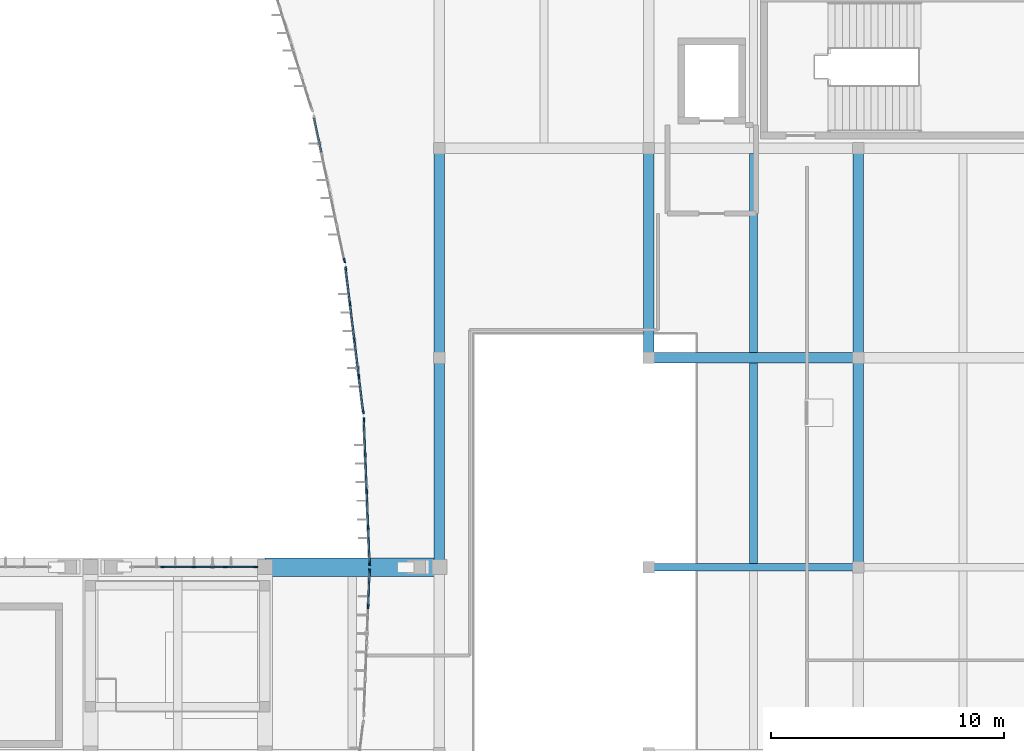
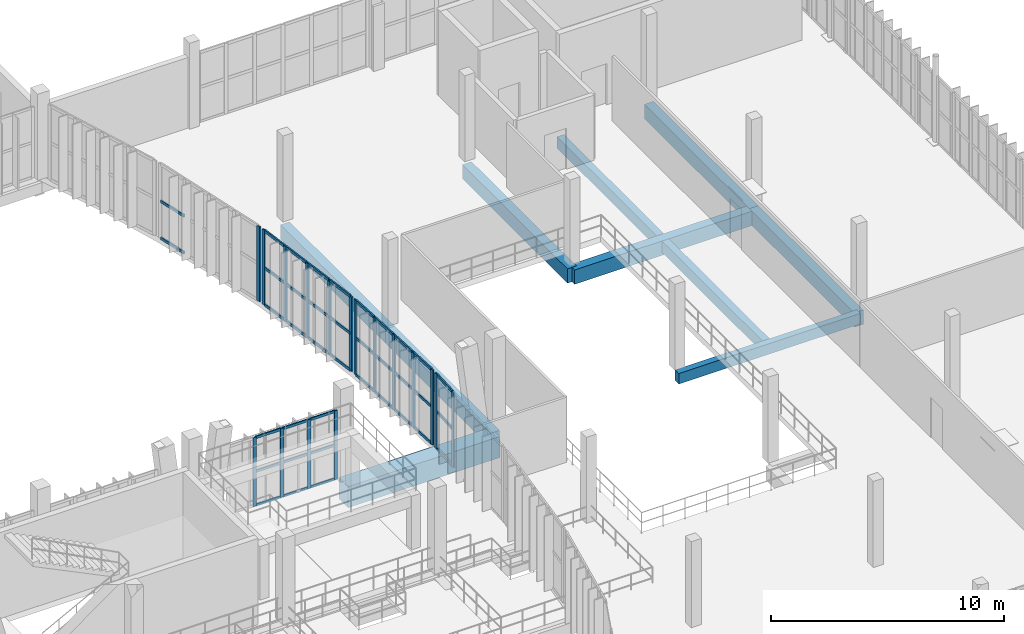
# One storey, part 33 of 81: 55 members, 10 beams, 5 elements without a shape of their own.
"""IFC4 building model written with IfcOpenShell, lengths in metres."""

from ifc_helpers import new_model, si_unit, direction, frame, origin, origin_2d, place, context, subcontext, project, spatial, rectangle, extrude, material, material_profile, profile_set, type_object, element, aggregate, save


model = new_model("IFC4")

# Units and contexts
model_context = context("Model", 3, precision=1e-05, world=origin(), true_north=direction((0.0, 1.0)))
body_context = subcontext(model_context, "Body", "Model", "MODEL_VIEW")
ifc_project = project(units=[si_unit("LENGTHUNIT", "METRE"), si_unit("AREAUNIT", "SQUARE_METRE"), si_unit("VOLUMEUNIT", "CUBIC_METRE"), si_unit("PLANEANGLEUNIT", "RADIAN"), si_unit("MASSUNIT", "GRAM", prefix="KILO")], contexts=[model_context])

# Site, building, storey
site_placement = place(None, origin())
site = spatial("IfcSite", under=ifc_project, at=site_placement, CompositionType="ELEMENT")
building_placement = place(site_placement, origin())
building = spatial("IfcBuilding", under=site, at=building_placement, Name="Vourika Railside Aquatics Centre", CompositionType="ELEMENT")
storey_placement = place(building_placement, frame((0.0, 0.0, 4.800048828125)))
storey = spatial("IfcBuildingStorey", under=building, at=storey_placement, Name="L01", CompositionType="ELEMENT", Elevation=4.800048828125)

# Beams
ifc_material_1 = material(Name="Concrete C35/45", Category="concrete")
ifc_material_profile_1 = material_profile(ifc_material_1, rectangle(XDim=0.449951171875, YDim=0.75, at=origin_2d()), Name="RC 450x750")
ifc_profile_set_1 = profile_set([ifc_material_profile_1], Name="Concrete C35/45")
beam_type_1 = type_object("IfcBeamType", Name="BM-GIRD-450x750", PredefinedType="BEAM", material=ifc_profile_set_1)
for number, where, z_axis, x_axis, name in (
    (1, (150.0, 75.0, -0.675048828125), (1.0, 0.0, 0.0), (0.0, 1.0, 0.0), "Floor Beam GX-L01-098"),
    (2, (141.0, 66.0, -0.675048828125), (0.0, 1.0, 0.0), (-1.0, 0.0, 0.0), "Floor Girder GY-L01-275"),
    (3, (141.0, 75.0, -0.675048828125), (0.0, 1.0, 0.0), (-1.0, 0.0, 0.0), "Floor Girder GY-L01-276"),
    (4, (150.0, 75.0, -0.675048828125), (0.0, 1.0, 0.0), (-1.0, 0.0, 0.0), "Floor Girder GY-L01-285"),
    (5, (159.0, 66.0, -0.675048828125), (0.0, 1.0, 0.0), (-1.0, 0.0, 0.0), "Floor Girder GY-L01-290"),
    (6, (159.0, 75.0, -0.675048828125), (0.0, 1.0, 0.0), (-1.0, 0.0, 0.0), "Floor Girder GY-L01-291"),
):
    element("IfcBeam", number, at=place(storey_placement, frame(where, z_axis=z_axis, x_axis=x_axis)), inside=storey, type_object=beam_type_1, Name=name, PredefinedType="BEAM", context=body_context, shape_type="SweptSolid", body=[
        extrude(rectangle(XDim=0.449951171875, YDim=0.75, at=origin_2d()), origin(), (0.0, 0.0, 1.0), 9.0),
    ])
ifc_material_2 = material(Name="Concrete C40/50", Category="concrete")
ifc_material_profile_2 = material_profile(ifc_material_2, rectangle(XDim=0.800048828125, YDim=1.10009765625, at=origin_2d()), Name="RC 800x1100")
ifc_profile_set_2 = profile_set([ifc_material_profile_2], Name="Concrete C40/50")
beam_type_2 = type_object("IfcBeamType", Name="BM-RING-800x1100", PredefinedType="BEAM", material=ifc_profile_set_2)
beam_1_placement = place(storey_placement, frame((133.5, 66.0, -0.85009765625), z_axis=(1.0, 0.0, 0.0), x_axis=(0.0, 1.0, 0.0)))
element("IfcBeam", 7, at=beam_1_placement, inside=storey, type_object=beam_type_2, Name="Floor Beam GX-L01-093", PredefinedType="BEAM", context=body_context, shape_type="SweptSolid", body=[
    extrude(rectangle(XDim=0.800048828125, YDim=1.10009765625, at=origin_2d()), origin(), (0.0, 0.0, 1.0), 7.5),
])
ifc_material_profile_3 = material_profile(ifc_material_1, rectangle(XDim=0.35009765625, YDim=0.60009765625, at=origin_2d()), Name="RC 350x600")
ifc_profile_set_3 = profile_set([ifc_material_profile_3], Name="Concrete C35/45")
beam_type_3 = type_object("IfcBeamType", Name="BM-SEC-350x600", PredefinedType="JOIST", material=ifc_profile_set_3)
beam_2_placement = place(storey_placement, frame((154.5, 66.159912109375, -0.60009765625), z_axis=(0.0, 1.0, 0.0), x_axis=(-1.0, 0.0, 0.0)))
element("IfcBeam", 8, at=beam_2_placement, inside=storey, type_object=beam_type_3, Name="Secondary Joist JY-L01-341", PredefinedType="JOIST", context=body_context, shape_type="SweptSolid", body=[
    extrude(rectangle(XDim=0.35009765625, YDim=0.60009765625, at=origin_2d()), origin(), (0.0, 0.0, 1.0), 8.614990234375),
])
beam_3_placement = place(storey_placement, frame((154.5, 75.22509765625, -0.60009765625), z_axis=(0.0, 1.0, 0.0), x_axis=(-1.0, 0.0, 0.0)))
element("IfcBeam", 9, at=beam_3_placement, inside=storey, type_object=beam_type_3, Name="Secondary Joist JY-L01-345", PredefinedType="JOIST", context=body_context, shape_type="SweptSolid", body=[
    extrude(rectangle(XDim=0.35009765625, YDim=0.60009765625, at=origin_2d()), origin(), (0.0, 0.0, 1.0), 8.5498046875),
])
ifc_material_profile_4 = material_profile(ifc_material_1, rectangle(XDim=0.320068359375, YDim=0.550048828125, at=origin_2d()), Name="RC 320x550")
ifc_profile_set_4 = profile_set([ifc_material_profile_4], Name="Concrete C35/45")
beam_type_4 = type_object("IfcBeamType", Name="BM-SPAN-320x550", PredefinedType="SPANDREL", material=ifc_profile_set_4)
beam_4_placement = place(storey_placement, frame((150.0, 66.0, -0.574951171875), z_axis=(1.0, 0.0, 0.0), x_axis=(0.0, 1.0, 0.0)))
element("IfcBeam", 10, at=beam_4_placement, inside=storey, type_object=beam_type_4, Name="Floor Beam GX-L01-094", PredefinedType="SPANDREL", context=body_context, shape_type="SweptSolid", body=[
    extrude(rectangle(XDim=0.320068359375, YDim=0.550048828125, at=origin_2d()), origin(), (0.0, 0.0, 1.0), 9.0),
])

# Curtain wall, members
ifc_material_3 = material(Name="Anodized thermally broken aluminium", Category="aluminium")
curtain_wall_type_1 = type_object("IfcCurtainWallType", Name="CW-CRT1", PredefinedType="NOTDEFINED", material=ifc_material_3)
curtain_wall_1_placement = place(storey_placement, origin())
curtain_wall_1 = element("IfcCurtainWall", 11, at=curtain_wall_1_placement, inside=storey, type_object=curtain_wall_type_1, Name="Spectator Concourse Courtyard Curtain Wall 13", PredefinedType="NOTDEFINED")
ifc_material_4 = material(Name="Anodized aluminium mullion", Category="aluminium")
ifc_material_profile_5 = material_profile(ifc_material_4, rectangle(XDim=0.06591796875, YDim=0.16796875, at=origin_2d()), Name="ALU-M 66x168")
ifc_profile_set_5 = profile_set([ifc_material_profile_5], Name="Anodized aluminium mullion")
member_type_1 = type_object("IfcMemberType", Name="CWM-CRT1", PredefinedType="MULLION", material=ifc_profile_set_5)
member_1_placement = place(storey_placement, frame((133.10693359375, 66.0, 0.0), z_axis=(0.0, 0.0, 1.0), x_axis=(0.0, -1.0, 0.0)))
member_1 = element("IfcMember", 12, at=member_1_placement, type_object=member_type_1, Name="CW13 mullion 1", PredefinedType="MULLION", context=body_context, shape_type="SweptSolid", body=[
    extrude(rectangle(XDim=0.06591796875, YDim=0.16796875, at=origin_2d()), origin(), (0.0, 0.0, 1.0), 3.599853515625),
])
member_2_placement = place(storey_placement, frame((131.79248046875, 66.0, 0.0), z_axis=(0.0, 0.0, 1.0), x_axis=(0.0, -1.0, 0.0)))
member_2 = element("IfcMember", 13, at=member_2_placement, type_object=member_type_1, Name="CW13 mullion 2", PredefinedType="MULLION", context=body_context, shape_type="SweptSolid", body=[
    extrude(rectangle(XDim=0.06591796875, YDim=0.16796875, at=origin_2d()), origin(), (0.0, 0.0, 1.0), 3.599853515625),
])
member_3_placement = place(storey_placement, frame((130.445068359375, 66.0, 0.0), z_axis=(0.0, 0.0, 1.0), x_axis=(0.0, -1.0, 0.0)))
member_3 = element("IfcMember", 14, at=member_3_placement, type_object=member_type_1, Name="CW13 mullion 3", PredefinedType="MULLION", context=body_context, shape_type="SweptSolid", body=[
    extrude(rectangle(XDim=0.06591796875, YDim=0.16796875, at=origin_2d()), origin(), (0.0, 0.0, 1.0), 3.599853515625),
])
member_4_placement = place(storey_placement, frame((129.097412109375, 66.0, 0.0), z_axis=(0.0, 0.0, 1.0), x_axis=(0.0, -1.0, 0.0)))
member_4 = element("IfcMember", 15, at=member_4_placement, type_object=member_type_1, Name="CW13 mullion 4", PredefinedType="MULLION", context=body_context, shape_type="SweptSolid", body=[
    extrude(rectangle(XDim=0.06591796875, YDim=0.16796875, at=origin_2d()), origin(), (0.0, 0.0, 1.0), 3.599853515625),
])

curtain_wall_type_2 = type_object("IfcCurtainWallType", Name="CW-FOYC1", PredefinedType="NOTDEFINED", material=ifc_material_3)
curtain_wall_2_placement = place(storey_placement, origin())
curtain_wall_2 = element("IfcCurtainWall", 16, at=curtain_wall_2_placement, inside=storey, type_object=curtain_wall_type_2, Name="Curved Courtyard Foyer Curtain Wall L01-4", PredefinedType="NOTDEFINED")
ifc_material_profile_6 = material_profile(ifc_material_4, rectangle(XDim=0.070068359375, YDim=0.18505859375, at=origin_2d()), Name="ALU-M 70x185")
ifc_profile_set_6 = profile_set([ifc_material_profile_6], Name="Anodized aluminium mullion")
member_type_2 = type_object("IfcMemberType", Name="CWM-FOYC1", PredefinedType="MULLION", material=ifc_profile_set_6)
member_5_placement = place(storey_placement, frame((137.99853515625, 65.824951171875, 0.0), z_axis=(0.0, 0.0, 1.0), x_axis=(0.999199675116, -0.040000115606, 0.0)))
member_5 = element("IfcMember", 17, at=member_5_placement, type_object=member_type_2, Name="CW08 mullion 1", PredefinedType="MULLION", context=body_context, shape_type="SweptSolid", body=[
    extrude(rectangle(XDim=0.070068359375, YDim=0.18505859375, at=origin_2d()), origin(), (0.0, 0.0, 1.0), 3.919921875),
])
member_6_placement = place(storey_placement, frame((137.937744140625, 64.304931640625, 0.0), z_axis=(0.0, 0.0, 1.0), x_axis=(0.999199675116, -0.040000115606, 0.0)))
member_6 = element("IfcMember", 18, at=member_6_placement, type_object=member_type_2, Name="CW08 mullion 2", PredefinedType="MULLION", context=body_context, shape_type="SweptSolid", body=[
    extrude(rectangle(XDim=0.070068359375, YDim=0.18505859375, at=origin_2d()), origin(), (0.0, 0.0, 1.0), 3.919921875),
])

curtain_wall_3_placement = place(storey_placement, origin())
curtain_wall_3 = element("IfcCurtainWall", 19, at=curtain_wall_3_placement, inside=storey, type_object=curtain_wall_type_2, Name="Curved Courtyard Foyer Curtain Wall L01-5", PredefinedType="NOTDEFINED")
member_7_placement = place(storey_placement, frame((137.75244140625, 72.324951171875, 0.0), z_axis=(0.0, 0.0, 1.0), x_axis=(0.999199675116, 0.040000115606, 0.0)))
member_7 = element("IfcMember", 20, at=member_7_placement, type_object=member_type_2, Name="CW08 mullion 1", PredefinedType="MULLION", context=body_context, shape_type="SweptSolid", body=[
    extrude(rectangle(XDim=0.070068359375, YDim=0.18505859375, at=origin_2d()), origin(), (0.0, 0.0, 1.0), 3.919921875),
])
member_8_placement = place(storey_placement, frame((137.813232421875, 70.804931640625, 0.0), z_axis=(0.0, 0.0, 1.0), x_axis=(0.999199675116, 0.040000115606, 0.0)))
member_8 = element("IfcMember", 21, at=member_8_placement, type_object=member_type_2, Name="CW08 mullion 2", PredefinedType="MULLION", context=body_context, shape_type="SweptSolid", body=[
    extrude(rectangle(XDim=0.070068359375, YDim=0.18505859375, at=origin_2d()), origin(), (0.0, 0.0, 1.0), 3.919921875),
])
member_9_placement = place(storey_placement, frame((137.87548828125, 69.25, 0.0), z_axis=(0.0, 0.0, 1.0), x_axis=(0.999199675116, 0.040000115606, 0.0)))
member_9 = element("IfcMember", 22, at=member_9_placement, type_object=member_type_2, Name="CW08 mullion 3", PredefinedType="MULLION", context=body_context, shape_type="SweptSolid", body=[
    extrude(rectangle(XDim=0.070068359375, YDim=0.18505859375, at=origin_2d()), origin(), (0.0, 0.0, 1.0), 3.919921875),
])
member_10_placement = place(storey_placement, frame((137.937744140625, 67.695068359375, 0.0), z_axis=(0.0, 0.0, 1.0), x_axis=(0.999199675116, 0.040000115606, 0.0)))
member_10 = element("IfcMember", 23, at=member_10_placement, type_object=member_type_2, Name="CW08 mullion 4", PredefinedType="MULLION", context=body_context, shape_type="SweptSolid", body=[
    extrude(rectangle(XDim=0.070068359375, YDim=0.18505859375, at=origin_2d()), origin(), (0.0, 0.0, 1.0), 3.919921875),
])
member_11_placement = place(storey_placement, frame((137.99853515625, 66.175048828125, 0.0), z_axis=(0.0, 0.0, 1.0), x_axis=(0.999199675116, 0.040000115606, 0.0)))
member_11 = element("IfcMember", 24, at=member_11_placement, type_object=member_type_2, Name="CW08 mullion 5", PredefinedType="MULLION", context=body_context, shape_type="SweptSolid", body=[
    extrude(rectangle(XDim=0.070068359375, YDim=0.18505859375, at=origin_2d()), origin(), (0.0, 0.0, 1.0), 3.919921875),
])

curtain_wall_4_placement = place(storey_placement, origin())
curtain_wall_4 = element("IfcCurtainWall", 25, at=curtain_wall_4_placement, inside=storey, type_object=curtain_wall_type_2, Name="Curved Courtyard Foyer Curtain Wall L01-6", PredefinedType="NOTDEFINED")
member_12_placement = place(storey_placement, frame((136.97216796875, 78.8251953125, 0.0), z_axis=(0.0, 0.0, 1.0), x_axis=(0.992598563525, 0.121441721361, 0.0)))
member_12 = element("IfcMember", 26, at=member_12_placement, type_object=member_type_2, Name="CW08 mullion 1", PredefinedType="MULLION", context=body_context, shape_type="SweptSolid", body=[
    extrude(rectangle(XDim=0.070068359375, YDim=0.18505859375, at=origin_2d()), origin(), (0.0, 0.0, 1.0), 3.919921875),
])
member_13_placement = place(storey_placement, frame((137.158203125, 77.304931640625, 0.0), z_axis=(0.0, 0.0, 1.0), x_axis=(0.992598563525, 0.121441721361, 0.0)))
member_13 = element("IfcMember", 27, at=member_13_placement, type_object=member_type_2, Name="CW08 mullion 2", PredefinedType="MULLION", context=body_context, shape_type="SweptSolid", body=[
    extrude(rectangle(XDim=0.070068359375, YDim=0.18505859375, at=origin_2d()), origin(), (0.0, 0.0, 1.0), 3.919921875),
])
member_14_placement = place(storey_placement, frame((137.348388671875, 75.75, 0.0), z_axis=(0.0, 0.0, 1.0), x_axis=(0.992598563525, 0.121441721361, 0.0)))
member_14 = element("IfcMember", 28, at=member_14_placement, type_object=member_type_2, Name="CW08 mullion 3", PredefinedType="MULLION", context=body_context, shape_type="SweptSolid", body=[
    extrude(rectangle(XDim=0.070068359375, YDim=0.18505859375, at=origin_2d()), origin(), (0.0, 0.0, 1.0), 3.919921875),
])
member_15_placement = place(storey_placement, frame((137.538818359375, 74.195068359375, 0.0), z_axis=(0.0, 0.0, 1.0), x_axis=(0.992598563525, 0.121441721361, 0.0)))
member_15 = element("IfcMember", 29, at=member_15_placement, type_object=member_type_2, Name="CW08 mullion 4", PredefinedType="MULLION", context=body_context, shape_type="SweptSolid", body=[
    extrude(rectangle(XDim=0.070068359375, YDim=0.18505859375, at=origin_2d()), origin(), (0.0, 0.0, 1.0), 3.919921875),
])
member_16_placement = place(storey_placement, frame((137.724853515625, 72.6748046875, 0.0), z_axis=(0.0, 0.0, 1.0), x_axis=(0.992598563525, 0.121441721361, 0.0)))
member_16 = element("IfcMember", 30, at=member_16_placement, type_object=member_type_2, Name="CW08 mullion 5", PredefinedType="MULLION", context=body_context, shape_type="SweptSolid", body=[
    extrude(rectangle(XDim=0.070068359375, YDim=0.18505859375, at=origin_2d()), origin(), (0.0, 0.0, 1.0), 3.919921875),
])

# Curtain wall, member
curtain_wall_5_placement = place(storey_placement, origin())
curtain_wall_5 = element("IfcCurtainWall", 31, at=curtain_wall_5_placement, inside=storey, type_object=curtain_wall_type_2, Name="Curved Courtyard Foyer Curtain Wall L01-7", PredefinedType="NOTDEFINED")
member_17_placement = place(storey_placement, frame((136.914794921875, 79.17431640625, 0.0), z_axis=(0.0, 0.0, 1.0), x_axis=(0.978214773139, 0.207595418094, 0.0)))
member_17 = element("IfcMember", 32, at=member_17_placement, type_object=member_type_2, Name="CW08 mullion 5", PredefinedType="MULLION", context=body_context, shape_type="SweptSolid", body=[
    extrude(rectangle(XDim=0.070068359375, YDim=0.18505859375, at=origin_2d()), origin(), (0.0, 0.0, 1.0), 3.919921875),
])

# Member
ifc_material_5 = material(Name="Anodized aluminium transom", Category="aluminium")
ifc_material_profile_7 = material_profile(ifc_material_5, rectangle(XDim=0.06591796875, YDim=0.132080078125, at=origin_2d()), Name="ALU-T 66x132")
ifc_profile_set_7 = profile_set([ifc_material_profile_7], Name="Anodized aluminium transom")
member_type_3 = type_object("IfcMemberType", Name="CWT-CRT1", PredefinedType="USERDEFINED", material=ifc_profile_set_7)
member_18_placement = place(storey_placement, frame((133.073974609375, 66.0, 0.032958984375), z_axis=(-1.0, 0.0, 0.0), x_axis=(0.0, -1.0, 0.0)))
member_18 = element("IfcMember", 33, at=member_18_placement, type_object=member_type_3, Name="CW13 transom 1.1", ObjectType="TRANSOM", PredefinedType="USERDEFINED", context=body_context, shape_type="SweptSolid", body=[
    extrude(rectangle(XDim=0.06591796875, YDim=0.132080078125, at=origin_2d()), origin(), (0.0, 0.0, 1.0), 1.24853515625),
])

member_19_placement = place(storey_placement, frame((133.073974609375, 66.0, 1.800048828125), z_axis=(-1.0, 0.0, 0.0), x_axis=(0.0, -1.0, 0.0)))
member_19 = element("IfcMember", 34, at=member_19_placement, type_object=member_type_3, Name="CW13 transom 1.2", ObjectType="TRANSOM", PredefinedType="USERDEFINED", context=body_context, shape_type="SweptSolid", body=[
    extrude(rectangle(XDim=0.06591796875, YDim=0.132080078125, at=origin_2d()), origin(), (0.0, 0.0, 1.0), 1.24853515625),
])

member_20_placement = place(storey_placement, frame((133.073974609375, 66.0, 3.56689453125), z_axis=(-1.0, 0.0, 0.0), x_axis=(0.0, -1.0, 0.0)))
member_20 = element("IfcMember", 35, at=member_20_placement, type_object=member_type_3, Name="CW13 transom 1.3", ObjectType="TRANSOM", PredefinedType="USERDEFINED", context=body_context, shape_type="SweptSolid", body=[
    extrude(rectangle(XDim=0.06591796875, YDim=0.132080078125, at=origin_2d()), origin(), (0.0, 0.0, 1.0), 1.24853515625),
])

member_21_placement = place(storey_placement, frame((131.759521484375, 66.0, 0.032958984375), z_axis=(-1.0, 0.0, 0.0), x_axis=(0.0, -1.0, 0.0)))
member_21 = element("IfcMember", 36, at=member_21_placement, type_object=member_type_3, Name="CW13 transom 2.1", ObjectType="TRANSOM", PredefinedType="USERDEFINED", context=body_context, shape_type="SweptSolid", body=[
    extrude(rectangle(XDim=0.06591796875, YDim=0.132080078125, at=origin_2d()), origin(), (0.0, 0.0, 1.0), 1.281494140625),
])

member_22_placement = place(storey_placement, frame((131.759521484375, 66.0, 1.800048828125), z_axis=(-1.0, 0.0, 0.0), x_axis=(0.0, -1.0, 0.0)))
member_22 = element("IfcMember", 37, at=member_22_placement, type_object=member_type_3, Name="CW13 transom 2.2", ObjectType="TRANSOM", PredefinedType="USERDEFINED", context=body_context, shape_type="SweptSolid", body=[
    extrude(rectangle(XDim=0.06591796875, YDim=0.132080078125, at=origin_2d()), origin(), (0.0, 0.0, 1.0), 1.281494140625),
])

member_23_placement = place(storey_placement, frame((131.759521484375, 66.0, 3.56689453125), z_axis=(-1.0, 0.0, 0.0), x_axis=(0.0, -1.0, 0.0)))
member_23 = element("IfcMember", 38, at=member_23_placement, type_object=member_type_3, Name="CW13 transom 2.3", ObjectType="TRANSOM", PredefinedType="USERDEFINED", context=body_context, shape_type="SweptSolid", body=[
    extrude(rectangle(XDim=0.06591796875, YDim=0.132080078125, at=origin_2d()), origin(), (0.0, 0.0, 1.0), 1.281494140625),
])

member_24_placement = place(storey_placement, frame((130.412109375, 66.0, 0.032958984375), z_axis=(-1.0, 0.0, 0.0), x_axis=(0.0, -1.0, 0.0)))
member_24 = element("IfcMember", 39, at=member_24_placement, type_object=member_type_3, Name="CW13 transom 3.1", ObjectType="TRANSOM", PredefinedType="USERDEFINED", context=body_context, shape_type="SweptSolid", body=[
    extrude(rectangle(XDim=0.06591796875, YDim=0.132080078125, at=origin_2d()), origin(), (0.0, 0.0, 1.0), 1.281494140625),
])

member_25_placement = place(storey_placement, frame((130.412109375, 66.0, 1.800048828125), z_axis=(-1.0, 0.0, 0.0), x_axis=(0.0, -1.0, 0.0)))
member_25 = element("IfcMember", 40, at=member_25_placement, type_object=member_type_3, Name="CW13 transom 3.2", ObjectType="TRANSOM", PredefinedType="USERDEFINED", context=body_context, shape_type="SweptSolid", body=[
    extrude(rectangle(XDim=0.06591796875, YDim=0.132080078125, at=origin_2d()), origin(), (0.0, 0.0, 1.0), 1.281494140625),
])

member_26_placement = place(storey_placement, frame((130.412109375, 66.0, 3.56689453125), z_axis=(-1.0, 0.0, 0.0), x_axis=(0.0, -1.0, 0.0)))
member_26 = element("IfcMember", 41, at=member_26_placement, type_object=member_type_3, Name="CW13 transom 3.3", ObjectType="TRANSOM", PredefinedType="USERDEFINED", context=body_context, shape_type="SweptSolid", body=[
    extrude(rectangle(XDim=0.06591796875, YDim=0.132080078125, at=origin_2d()), origin(), (0.0, 0.0, 1.0), 1.281494140625),
])

aggregate(curtain_wall_1, [member_1, member_2, member_3, member_4, member_18, member_19, member_20, member_21, member_22, member_23, member_24, member_25, member_26])

ifc_material_profile_8 = material_profile(ifc_material_5, rectangle(XDim=0.070068359375, YDim=0.14599609375, at=origin_2d()), Name="ALU-T 70x146")
ifc_profile_set_8 = profile_set([ifc_material_profile_8], Name="Anodized aluminium transom")
member_type_4 = type_object("IfcMemberType", Name="CWT-FOYC1", PredefinedType="USERDEFINED", material=ifc_profile_set_8)
member_27_placement = place(storey_placement, frame((137.997314453125, 65.7900390625, 0.034912109375), z_axis=(-0.040041947114, -0.999197999633, 0.0), x_axis=(0.999197999633, -0.040041947114, 0.0)))
member_27 = element("IfcMember", 42, at=member_27_placement, type_object=member_type_4, Name="CW08 transom 1.1", ObjectType="TRANSOM", PredefinedType="USERDEFINED", context=body_context, shape_type="SweptSolid", body=[
    extrude(rectangle(XDim=0.070068359375, YDim=0.14599609375, at=origin_2d()), origin(), (0.0, 0.0, 1.0), 1.451171875),
])

member_28_placement = place(storey_placement, frame((137.997314453125, 65.7900390625, 1.9599609375), z_axis=(-0.040041947114, -0.999197999633, 0.0), x_axis=(0.999197999633, -0.040041947114, 0.0)))
member_28 = element("IfcMember", 43, at=member_28_placement, type_object=member_type_4, Name="CW08 transom 1.2", ObjectType="TRANSOM", PredefinedType="USERDEFINED", context=body_context, shape_type="SweptSolid", body=[
    extrude(rectangle(XDim=0.070068359375, YDim=0.14599609375, at=origin_2d()), origin(), (0.0, 0.0, 1.0), 1.451171875),
])

member_29_placement = place(storey_placement, frame((137.997314453125, 65.7900390625, 3.885009765625), z_axis=(-0.040041947114, -0.999197999633, 0.0), x_axis=(0.999197999633, -0.040041947114, 0.0)))
member_29 = element("IfcMember", 44, at=member_29_placement, type_object=member_type_4, Name="CW08 transom 1.3", ObjectType="TRANSOM", PredefinedType="USERDEFINED", context=body_context, shape_type="SweptSolid", body=[
    extrude(rectangle(XDim=0.070068359375, YDim=0.14599609375, at=origin_2d()), origin(), (0.0, 0.0, 1.0), 1.451171875),
])

aggregate(curtain_wall_2, [member_5, member_6, member_27, member_28, member_29])

member_30_placement = place(storey_placement, frame((137.75390625, 72.2900390625, 0.034912109375), z_axis=(0.039873971699, -0.999204716953, 0.0), x_axis=(0.999204716953, 0.039873971699, 0.0)))
member_30 = element("IfcMember", 45, at=member_30_placement, type_object=member_type_4, Name="CW08 transom 1.1", ObjectType="TRANSOM", PredefinedType="USERDEFINED", context=body_context, shape_type="SweptSolid", body=[
    extrude(rectangle(XDim=0.070068359375, YDim=0.14599609375, at=origin_2d()), origin(), (0.0, 0.0, 1.0), 1.451171875),
])

member_31_placement = place(storey_placement, frame((137.75390625, 72.2900390625, 1.9599609375), z_axis=(0.039873971699, -0.999204716953, 0.0), x_axis=(0.999204716953, 0.039873971699, 0.0)))
member_31 = element("IfcMember", 46, at=member_31_placement, type_object=member_type_4, Name="CW08 transom 1.2", ObjectType="TRANSOM", PredefinedType="USERDEFINED", context=body_context, shape_type="SweptSolid", body=[
    extrude(rectangle(XDim=0.070068359375, YDim=0.14599609375, at=origin_2d()), origin(), (0.0, 0.0, 1.0), 1.451171875),
])

member_32_placement = place(storey_placement, frame((137.75390625, 72.2900390625, 3.885009765625), z_axis=(0.039873971699, -0.999204716953, 0.0), x_axis=(0.999204716953, 0.039873971699, 0.0)))
member_32 = element("IfcMember", 47, at=member_32_placement, type_object=member_type_4, Name="CW08 transom 1.3", ObjectType="TRANSOM", PredefinedType="USERDEFINED", context=body_context, shape_type="SweptSolid", body=[
    extrude(rectangle(XDim=0.070068359375, YDim=0.14599609375, at=origin_2d()), origin(), (0.0, 0.0, 1.0), 1.451171875),
])

member_33_placement = place(storey_placement, frame((137.814697265625, 70.77001953125, 0.034912109375), z_axis=(0.039915558563, -0.999203056533, 0.0), x_axis=(0.999203056533, 0.039915558563, 0.0)))
member_33 = element("IfcMember", 48, at=member_33_placement, type_object=member_type_4, Name="CW08 transom 2.1", ObjectType="TRANSOM", PredefinedType="USERDEFINED", context=body_context, shape_type="SweptSolid", body=[
    extrude(rectangle(XDim=0.070068359375, YDim=0.14599609375, at=origin_2d()), origin(), (0.0, 0.0, 1.0), 1.486328125),
])

member_34_placement = place(storey_placement, frame((137.814697265625, 70.77001953125, 1.9599609375), z_axis=(0.039915558563, -0.999203056533, 0.0), x_axis=(0.999203056533, 0.039915558563, 0.0)))
member_34 = element("IfcMember", 49, at=member_34_placement, type_object=member_type_4, Name="CW08 transom 2.2", ObjectType="TRANSOM", PredefinedType="USERDEFINED", context=body_context, shape_type="SweptSolid", body=[
    extrude(rectangle(XDim=0.070068359375, YDim=0.14599609375, at=origin_2d()), origin(), (0.0, 0.0, 1.0), 1.486328125),
])

member_35_placement = place(storey_placement, frame((137.814697265625, 70.77001953125, 3.885009765625), z_axis=(0.039915558563, -0.999203056533, 0.0), x_axis=(0.999203056533, 0.039915558563, 0.0)))
member_35 = element("IfcMember", 50, at=member_35_placement, type_object=member_type_4, Name="CW08 transom 2.3", ObjectType="TRANSOM", PredefinedType="USERDEFINED", context=body_context, shape_type="SweptSolid", body=[
    extrude(rectangle(XDim=0.070068359375, YDim=0.14599609375, at=origin_2d()), origin(), (0.0, 0.0, 1.0), 1.486328125),
])

member_36_placement = place(storey_placement, frame((137.876953125, 69.215087890625, 0.034912109375), z_axis=(0.039915558563, -0.999203056533, 0.0), x_axis=(0.999203056533, 0.039915558563, 0.0)))
member_36 = element("IfcMember", 51, at=member_36_placement, type_object=member_type_4, Name="CW08 transom 3.1", ObjectType="TRANSOM", PredefinedType="USERDEFINED", context=body_context, shape_type="SweptSolid", body=[
    extrude(rectangle(XDim=0.070068359375, YDim=0.14599609375, at=origin_2d()), origin(), (0.0, 0.0, 1.0), 1.486328125),
])

member_37_placement = place(storey_placement, frame((137.876953125, 69.215087890625, 1.9599609375), z_axis=(0.039915558563, -0.999203056533, 0.0), x_axis=(0.999203056533, 0.039915558563, 0.0)))
member_37 = element("IfcMember", 52, at=member_37_placement, type_object=member_type_4, Name="CW08 transom 3.2", ObjectType="TRANSOM", PredefinedType="USERDEFINED", context=body_context, shape_type="SweptSolid", body=[
    extrude(rectangle(XDim=0.070068359375, YDim=0.14599609375, at=origin_2d()), origin(), (0.0, 0.0, 1.0), 1.486328125),
])

member_38_placement = place(storey_placement, frame((137.876953125, 69.215087890625, 3.885009765625), z_axis=(0.039915558563, -0.999203056533, 0.0), x_axis=(0.999203056533, 0.039915558563, 0.0)))
member_38 = element("IfcMember", 53, at=member_38_placement, type_object=member_type_4, Name="CW08 transom 3.3", ObjectType="TRANSOM", PredefinedType="USERDEFINED", context=body_context, shape_type="SweptSolid", body=[
    extrude(rectangle(XDim=0.070068359375, YDim=0.14599609375, at=origin_2d()), origin(), (0.0, 0.0, 1.0), 1.486328125),
])

member_39_placement = place(storey_placement, frame((137.939208984375, 67.659912109375, 0.034912109375), z_axis=(0.040041947114, -0.999197999633, 0.0), x_axis=(0.999197999633, 0.040041947114, 0.0)))
member_39 = element("IfcMember", 54, at=member_39_placement, type_object=member_type_4, Name="CW08 transom 4.1", ObjectType="TRANSOM", PredefinedType="USERDEFINED", context=body_context, shape_type="SweptSolid", body=[
    extrude(rectangle(XDim=0.070068359375, YDim=0.14599609375, at=origin_2d()), origin(), (0.0, 0.0, 1.0), 1.451171875),
])

member_40_placement = place(storey_placement, frame((137.939208984375, 67.659912109375, 1.9599609375), z_axis=(0.040041947114, -0.999197999633, 0.0), x_axis=(0.999197999633, 0.040041947114, 0.0)))
member_40 = element("IfcMember", 55, at=member_40_placement, type_object=member_type_4, Name="CW08 transom 4.2", ObjectType="TRANSOM", PredefinedType="USERDEFINED", context=body_context, shape_type="SweptSolid", body=[
    extrude(rectangle(XDim=0.070068359375, YDim=0.14599609375, at=origin_2d()), origin(), (0.0, 0.0, 1.0), 1.451171875),
])

member_41_placement = place(storey_placement, frame((137.939208984375, 67.659912109375, 3.885009765625), z_axis=(0.040041947114, -0.999197999633, 0.0), x_axis=(0.999197999633, 0.040041947114, 0.0)))
member_41 = element("IfcMember", 56, at=member_41_placement, type_object=member_type_4, Name="CW08 transom 4.3", ObjectType="TRANSOM", PredefinedType="USERDEFINED", context=body_context, shape_type="SweptSolid", body=[
    extrude(rectangle(XDim=0.070068359375, YDim=0.14599609375, at=origin_2d()), origin(), (0.0, 0.0, 1.0), 1.451171875),
])

aggregate(curtain_wall_3, [member_7, member_8, member_9, member_10, member_11, member_30, member_31, member_32, member_33, member_34, member_35, member_36, member_37, member_38, member_39, member_40, member_41])

member_42_placement = place(storey_placement, frame((136.9765625, 78.79052734375, 0.034912109375), z_axis=(0.121443785275, -0.992598311009, 0.0), x_axis=(0.992598311009, 0.121443785275, 0.0)))
member_42 = element("IfcMember", 57, at=member_42_placement, type_object=member_type_4, Name="CW08 transom 1.1", ObjectType="TRANSOM", PredefinedType="USERDEFINED", context=body_context, shape_type="SweptSolid", body=[
    extrude(rectangle(XDim=0.070068359375, YDim=0.14599609375, at=origin_2d()), origin(), (0.0, 0.0, 1.0), 1.46142578125),
])

member_43_placement = place(storey_placement, frame((136.9765625, 78.79052734375, 1.9599609375), z_axis=(0.121443785275, -0.992598311009, 0.0), x_axis=(0.992598311009, 0.121443785275, 0.0)))
member_43 = element("IfcMember", 58, at=member_43_placement, type_object=member_type_4, Name="CW08 transom 1.2", ObjectType="TRANSOM", PredefinedType="USERDEFINED", context=body_context, shape_type="SweptSolid", body=[
    extrude(rectangle(XDim=0.070068359375, YDim=0.14599609375, at=origin_2d()), origin(), (0.0, 0.0, 1.0), 1.46142578125),
])

member_44_placement = place(storey_placement, frame((136.9765625, 78.79052734375, 3.885009765625), z_axis=(0.121443785275, -0.992598311009, 0.0), x_axis=(0.992598311009, 0.121443785275, 0.0)))
member_44 = element("IfcMember", 59, at=member_44_placement, type_object=member_type_4, Name="CW08 transom 1.3", ObjectType="TRANSOM", PredefinedType="USERDEFINED", context=body_context, shape_type="SweptSolid", body=[
    extrude(rectangle(XDim=0.070068359375, YDim=0.14599609375, at=origin_2d()), origin(), (0.0, 0.0, 1.0), 1.46142578125),
])

member_45_placement = place(storey_placement, frame((137.16259765625, 77.270263671875, 0.034912109375), z_axis=(0.121364075075, -0.992608060254, 0.0), x_axis=(0.992608060254, 0.121364075075, 0.0)))
member_45 = element("IfcMember", 60, at=member_45_placement, type_object=member_type_4, Name="CW08 transom 2.1", ObjectType="TRANSOM", PredefinedType="USERDEFINED", context=body_context, shape_type="SweptSolid", body=[
    extrude(rectangle(XDim=0.070068359375, YDim=0.14599609375, at=origin_2d()), origin(), (0.0, 0.0, 1.0), 1.49658203125),
])

member_46_placement = place(storey_placement, frame((137.16259765625, 77.270263671875, 1.9599609375), z_axis=(0.121364075075, -0.992608060254, 0.0), x_axis=(0.992608060254, 0.121364075075, 0.0)))
member_46 = element("IfcMember", 61, at=member_46_placement, type_object=member_type_4, Name="CW08 transom 2.2", ObjectType="TRANSOM", PredefinedType="USERDEFINED", context=body_context, shape_type="SweptSolid", body=[
    extrude(rectangle(XDim=0.070068359375, YDim=0.14599609375, at=origin_2d()), origin(), (0.0, 0.0, 1.0), 1.49658203125),
])

member_47_placement = place(storey_placement, frame((137.16259765625, 77.270263671875, 3.885009765625), z_axis=(0.121364075075, -0.992608060254, 0.0), x_axis=(0.992608060254, 0.121364075075, 0.0)))
member_47 = element("IfcMember", 62, at=member_47_placement, type_object=member_type_4, Name="CW08 transom 2.3", ObjectType="TRANSOM", PredefinedType="USERDEFINED", context=body_context, shape_type="SweptSolid", body=[
    extrude(rectangle(XDim=0.070068359375, YDim=0.14599609375, at=origin_2d()), origin(), (0.0, 0.0, 1.0), 1.49658203125),
])

member_48_placement = place(storey_placement, frame((137.352783203125, 75.71533203125, 0.034912109375), z_axis=(0.121364075075, -0.992608060254, 0.0), x_axis=(0.992608060254, 0.121364075075, 0.0)))
member_48 = element("IfcMember", 63, at=member_48_placement, type_object=member_type_4, Name="CW08 transom 3.1", ObjectType="TRANSOM", PredefinedType="USERDEFINED", context=body_context, shape_type="SweptSolid", body=[
    extrude(rectangle(XDim=0.070068359375, YDim=0.14599609375, at=origin_2d()), origin(), (0.0, 0.0, 1.0), 1.49658203125),
])

member_49_placement = place(storey_placement, frame((137.352783203125, 75.71533203125, 1.9599609375), z_axis=(0.121364075075, -0.992608060254, 0.0), x_axis=(0.992608060254, 0.121364075075, 0.0)))
member_49 = element("IfcMember", 64, at=member_49_placement, type_object=member_type_4, Name="CW08 transom 3.2", ObjectType="TRANSOM", PredefinedType="USERDEFINED", context=body_context, shape_type="SweptSolid", body=[
    extrude(rectangle(XDim=0.070068359375, YDim=0.14599609375, at=origin_2d()), origin(), (0.0, 0.0, 1.0), 1.49658203125),
])

member_50_placement = place(storey_placement, frame((137.352783203125, 75.71533203125, 3.885009765625), z_axis=(0.121364075075, -0.992608060254, 0.0), x_axis=(0.992608060254, 0.121364075075, 0.0)))
member_50 = element("IfcMember", 65, at=member_50_placement, type_object=member_type_4, Name="CW08 transom 3.3", ObjectType="TRANSOM", PredefinedType="USERDEFINED", context=body_context, shape_type="SweptSolid", body=[
    extrude(rectangle(XDim=0.070068359375, YDim=0.14599609375, at=origin_2d()), origin(), (0.0, 0.0, 1.0), 1.49658203125),
])

member_51_placement = place(storey_placement, frame((137.54296875, 74.16015625, 0.034912109375), z_axis=(0.121443785275, -0.992598311009, 0.0), x_axis=(0.992598311009, 0.121443785275, 0.0)))
member_51 = element("IfcMember", 66, at=member_51_placement, type_object=member_type_4, Name="CW08 transom 4.1", ObjectType="TRANSOM", PredefinedType="USERDEFINED", context=body_context, shape_type="SweptSolid", body=[
    extrude(rectangle(XDim=0.070068359375, YDim=0.14599609375, at=origin_2d()), origin(), (0.0, 0.0, 1.0), 1.46142578125),
])

member_52_placement = place(storey_placement, frame((137.54296875, 74.16015625, 1.9599609375), z_axis=(0.121443785275, -0.992598311009, 0.0), x_axis=(0.992598311009, 0.121443785275, 0.0)))
member_52 = element("IfcMember", 67, at=member_52_placement, type_object=member_type_4, Name="CW08 transom 4.2", ObjectType="TRANSOM", PredefinedType="USERDEFINED", context=body_context, shape_type="SweptSolid", body=[
    extrude(rectangle(XDim=0.070068359375, YDim=0.14599609375, at=origin_2d()), origin(), (0.0, 0.0, 1.0), 1.46142578125),
])

member_53_placement = place(storey_placement, frame((137.54296875, 74.16015625, 3.885009765625), z_axis=(0.121443785275, -0.992598311009, 0.0), x_axis=(0.992598311009, 0.121443785275, 0.0)))
member_53 = element("IfcMember", 68, at=member_53_placement, type_object=member_type_4, Name="CW08 transom 4.3", ObjectType="TRANSOM", PredefinedType="USERDEFINED", context=body_context, shape_type="SweptSolid", body=[
    extrude(rectangle(XDim=0.070068359375, YDim=0.14599609375, at=origin_2d()), origin(), (0.0, 0.0, 1.0), 1.46142578125),
])

aggregate(curtain_wall_4, [member_12, member_13, member_14, member_15, member_16, member_42, member_43, member_44, member_45, member_46, member_47, member_48, member_49, member_50, member_51, member_52, member_53])

member_54_placement = place(storey_placement, frame((135.616455078125, 85.29150390625, 0.034912109375), z_axis=(0.207709269324, -0.97819060486, 0.0), x_axis=(0.97819060486, 0.207709269324, 0.0)))
member_54 = element("IfcMember", 69, at=member_54_placement, type_object=member_type_4, Name="CW08 transom 1.1", ObjectType="TRANSOM", PredefinedType="USERDEFINED", context=body_context, shape_type="SweptSolid", body=[
    extrude(rectangle(XDim=0.070068359375, YDim=0.14599609375, at=origin_2d()), origin(), (0.0, 0.0, 1.0), 1.484619140625),
])

member_55_placement = place(storey_placement, frame((135.616455078125, 85.29150390625, 1.9599609375), z_axis=(0.207709269324, -0.97819060486, 0.0), x_axis=(0.97819060486, 0.207709269324, 0.0)))
member_55 = element("IfcMember", 70, at=member_55_placement, type_object=member_type_4, Name="CW08 transom 1.2", ObjectType="TRANSOM", PredefinedType="USERDEFINED", context=body_context, shape_type="SweptSolid", body=[
    extrude(rectangle(XDim=0.070068359375, YDim=0.14599609375, at=origin_2d()), origin(), (0.0, 0.0, 1.0), 1.484619140625),
])

aggregate(curtain_wall_5, [member_17, member_54, member_55])

save(model, "model.ifc")
